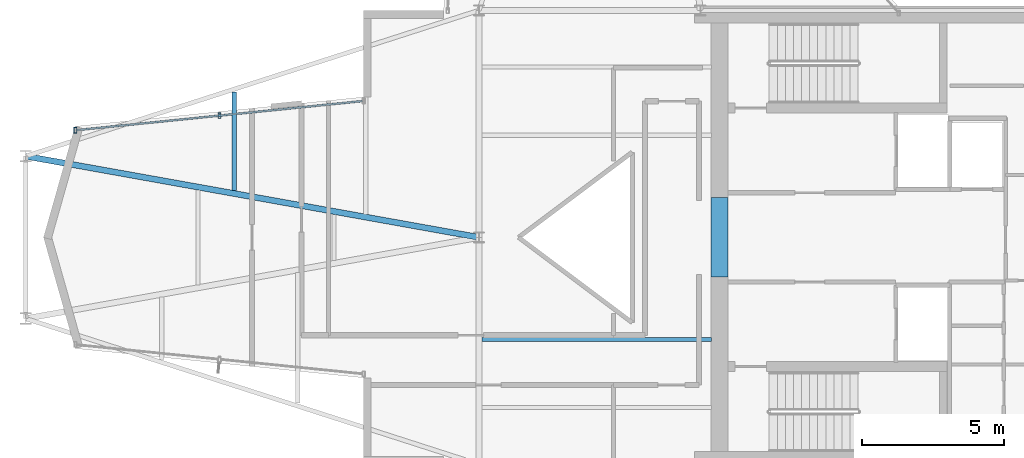
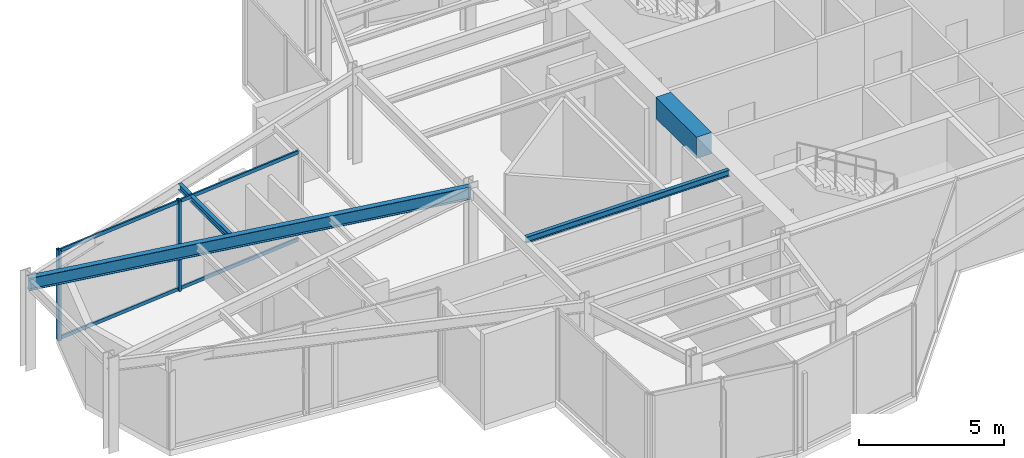
# One storey, part 4 of 14: 4 beams, 4 members, 1 element without a shape of its own.
"""IFC4 building model written with IfcOpenShell, lengths in metres."""

from ifc_helpers import new_model, si_unit, direction, frame, origin, origin_2d, place, context, subcontext, project, spatial, rectangle, hollow_rectangle, i_section, extrude, material, layer, layer_set, material_profile, profile_set, type_object, element, aggregate, save


model = new_model("IFC4")

# Units and contexts
model_context = context("Model", 3, precision=1e-05, world=origin(), true_north=direction((0.0, 1.0)))
body_context = subcontext(model_context, "Body", "Model", "MODEL_VIEW")
ifc_project = project(units=[si_unit("LENGTHUNIT", "METRE"), si_unit("AREAUNIT", "SQUARE_METRE"), si_unit("VOLUMEUNIT", "CUBIC_METRE"), si_unit("PLANEANGLEUNIT", "RADIAN"), si_unit("MASSUNIT", "GRAM", prefix="KILO")], contexts=[model_context])

# Site, building, storey
site_placement = place(None, origin())
site = spatial("IfcSite", under=ifc_project, at=site_placement, CompositionType="ELEMENT")
building_placement = place(site_placement, origin())
building = spatial("IfcBuilding", under=site, at=building_placement, Name="Veymaron Broadcast Tower", CompositionType="ELEMENT")
storey_placement = place(building_placement, frame((0.0, 0.0, 270.89990234375)))
storey = spatial("IfcBuildingStorey", under=building, at=storey_placement, Name="L63", CompositionType="ELEMENT", Elevation=270.89990234375)

# Beams
ifc_material_1 = material(Name="Concrete C60/75", Category="concrete")
ifc_material_profile_1 = material_profile(ifc_material_1, rectangle(XDim=0.60009765625, YDim=0.89990234375, at=origin_2d()), Name="RC600X900")
ifc_profile_set_1 = profile_set([ifc_material_profile_1], Name="Concrete C60/75")
beam_type_1 = type_object("IfcBeamType", Name="BM-CB2", PredefinedType="LINTEL", material=ifc_profile_set_1)
beam_1_placement = place(storey_placement, frame((39.679931640625, 22.60009765625, 3.360107421875), z_axis=(0.0, 1.0, 0.0), x_axis=(-1.0, 0.0, 0.0)))
element("IfcBeam", 1, at=beam_1_placement, inside=storey, type_object=beam_type_1, Name="L63 Core Wall west coupling beam", PredefinedType="LINTEL", context=body_context, shape_type="SweptSolid", body=[
    extrude(rectangle(XDim=0.60009765625, YDim=0.89990234375, at=origin_2d()), origin(), (0.0, 0.0, 1.0), 2.7998046875),
])
ifc_material_2 = material(Name="Structural steel ASTM A992 Gr 50", Category="steel")
ifc_material_profile_2 = material_profile(ifc_material_2, i_section(OverallWidth=0.208984375, OverallDepth=0.528076171875, WebThickness=0.009521484375, FlangeThickness=0.01318359375, at=origin_2d()), Name="W530X82")
ifc_profile_set_2 = profile_set([ifc_material_profile_2], Name="Structural steel ASTM A992 Gr 50")
beam_type_2 = type_object("IfcBeamType", Name="BM-FG4", PredefinedType="BEAM", material=ifc_profile_set_2)
beam_2_placement = place(storey_placement, frame((15.224365234375, 26.862060546875, 3.546142578125), z_axis=(0.98432849912, -0.176344565609, 0.0), x_axis=(0.176344565609, 0.98432849912, 0.0)))
element("IfcBeam", 2, at=beam_2_placement, inside=storey, type_object=beam_type_2, Name="L63 primary structural floor girder", PredefinedType="BEAM", context=body_context, shape_type="SweptSolid", body=[
    extrude(i_section(OverallWidth=0.208984375, OverallDepth=0.528076171875, WebThickness=0.009521484375, FlangeThickness=0.01318359375, at=origin_2d()), origin(), (0.0, 0.0, 1.0), 16.22998046875),
])
ifc_material_profile_3 = material_profile(ifc_material_2, i_section(OverallWidth=0.14599609375, OverallDepth=0.258056640625, WebThickness=0.006103515625, FlangeThickness=0.009033203125, at=origin_2d()), Name="W250X33")
ifc_profile_set_3 = profile_set([ifc_material_profile_3], Name="Structural steel ASTM A992 Gr 50")
beam_type_3 = type_object("IfcBeamType", Name="BM-JS4", PredefinedType="JOIST", material=ifc_profile_set_3)
beam_3_placement = place(storey_placement, frame((22.5732421875, 25.6455078125, 3.68115234375), z_axis=(0.0, 1.0, 0.0), x_axis=(-1.0, 0.0, 0.0)))
element("IfcBeam", 3, at=beam_3_placement, inside=storey, type_object=beam_type_3, Name="L63 Arm-A secondary joist 1N", PredefinedType="JOIST", context=body_context, shape_type="SweptSolid", body=[
    extrude(i_section(OverallWidth=0.14599609375, OverallDepth=0.258056640625, WebThickness=0.006103515625, FlangeThickness=0.009033203125, at=origin_2d()), origin(), (0.0, 0.0, 1.0), 3.47998046875),
])
beam_4_placement = place(storey_placement, frame((31.300048828125, 20.39990234375, 3.68115234375), z_axis=(1.0, 0.0, 0.0), x_axis=(0.0, 1.0, 0.0)))
element("IfcBeam", 4, at=beam_4_placement, inside=storey, type_object=beam_type_3, Name="L63 Hub secondary joist 2", PredefinedType="JOIST", context=body_context, shape_type="SweptSolid", body=[
    extrude(i_section(OverallWidth=0.14599609375, OverallDepth=0.258056640625, WebThickness=0.006103515625, FlangeThickness=0.009033203125, at=origin_2d()), origin(), (0.0, 0.0, 1.0), 8.099853515625),
])

# Curtain wall, members
ifc_material_3 = material(Name="Anodised aluminium AA 6063-T6 and laminated low-E dark glass", Category="aluminium")
ifc_layer = layer(ifc_material_3, 0.179931640625)
ifc_layer_set = layer_set([ifc_layer], Name="Anodised aluminium AA 6063-T6 and laminated low-E dark glass")
curtain_wall_type = type_object("IfcCurtainWallType", Name="CW-SYS-06", PredefinedType="NOTDEFINED", material=ifc_layer_set)
curtain_wall_placement = place(storey_placement, origin())
curtain_wall = element("IfcCurtainWall", 5, at=curtain_wall_placement, inside=storey, type_object=curtain_wall_type, Name="L63 dark-glass curtain wall CW-L63-E11-1", PredefinedType="NOTDEFINED")
ifc_material_4 = material(Name="Anodised aluminium AA 6063-T6", Category="aluminium")
ifc_material_profile_4 = material_profile(ifc_material_4, hollow_rectangle(XDim=0.10009765625, YDim=0.199951171875, WallThickness=0.010009765625, at=origin_2d()), Name="RHS200X100X10")
ifc_profile_set_4 = profile_set([ifc_material_profile_4], Name="Anodised aluminium AA 6063-T6")
member_type_1 = type_object("IfcMemberType", Name="CW-MUL-01", PredefinedType="MULLION", material=ifc_profile_set_4)
member_1_placement = place(storey_placement, frame((22.054931640625, 28.29296875, 0.0), z_axis=(0.0, 0.0, 1.0), x_axis=(1.0, 0.0, 0.0)))
member_1 = element("IfcMember", 6, at=member_1_placement, type_object=member_type_1, Name="CW-L63-E11-1 mullion 1", PredefinedType="MULLION", context=body_context, shape_type="SweptSolid", body=[
    extrude(hollow_rectangle(XDim=0.10009765625, YDim=0.199951171875, WallThickness=0.010009765625, at=origin_2d()), origin(), (0.0, 0.0, 1.0), 3.81005859375),
])
member_2_placement = place(storey_placement, frame((16.97412109375, 27.7763671875, 0.0), z_axis=(0.0, 0.0, 1.0), x_axis=(1.0, 0.0, 0.0)))
member_2 = element("IfcMember", 7, at=member_2_placement, type_object=member_type_1, Name="CW-L63-E11-1 mullion 2", PredefinedType="MULLION", context=body_context, shape_type="SweptSolid", body=[
    extrude(hollow_rectangle(XDim=0.10009765625, YDim=0.199951171875, WallThickness=0.010009765625, at=origin_2d()), origin(), (0.0, 0.0, 1.0), 3.81005859375),
])
ifc_material_profile_5 = material_profile(ifc_material_4, hollow_rectangle(XDim=0.06494140625, YDim=0.14990234375, WallThickness=0.00390625, at=origin_2d()), Name="AL150X65X4")
ifc_profile_set_5 = profile_set([ifc_material_profile_5], Name="Anodised aluminium AA 6063-T6")
member_type_2 = type_object("IfcMemberType", Name="CW-TRN-01", PredefinedType="USERDEFINED", material=ifc_profile_set_5)
member_3_placement = place(storey_placement, frame((27.086181640625, 28.804443359375, 0.070068359375), z_axis=(-0.994872131197, -0.101140706775, 0.0), x_axis=(0.101140706775, -0.994872131197, 0.0)))
member_3 = element("IfcMember", 8, at=member_3_placement, type_object=member_type_2, Name="CW-L63-E11-1 transom B", ObjectType="TRANSOM", PredefinedType="USERDEFINED", context=body_context, shape_type="SweptSolid", body=[
    extrude(hollow_rectangle(XDim=0.06494140625, YDim=0.14990234375, WallThickness=0.00390625, at=origin_2d()), origin(), (0.0, 0.0, 1.0), 10.114013671875),
])
member_4_placement = place(storey_placement, frame((27.086181640625, 28.804443359375, 3.739990234375), z_axis=(-0.994872131197, -0.101140706775, 0.0), x_axis=(0.101140706775, -0.994872131197, 0.0)))
member_4 = element("IfcMember", 9, at=member_4_placement, type_object=member_type_2, Name="CW-L63-E11-1 transom T", ObjectType="TRANSOM", PredefinedType="USERDEFINED", context=body_context, shape_type="SweptSolid", body=[
    extrude(hollow_rectangle(XDim=0.06494140625, YDim=0.14990234375, WallThickness=0.00390625, at=origin_2d()), origin(), (0.0, 0.0, 1.0), 10.114013671875),
])
aggregate(curtain_wall, [member_1, member_2, member_3, member_4])

save(model, "model.ifc")
